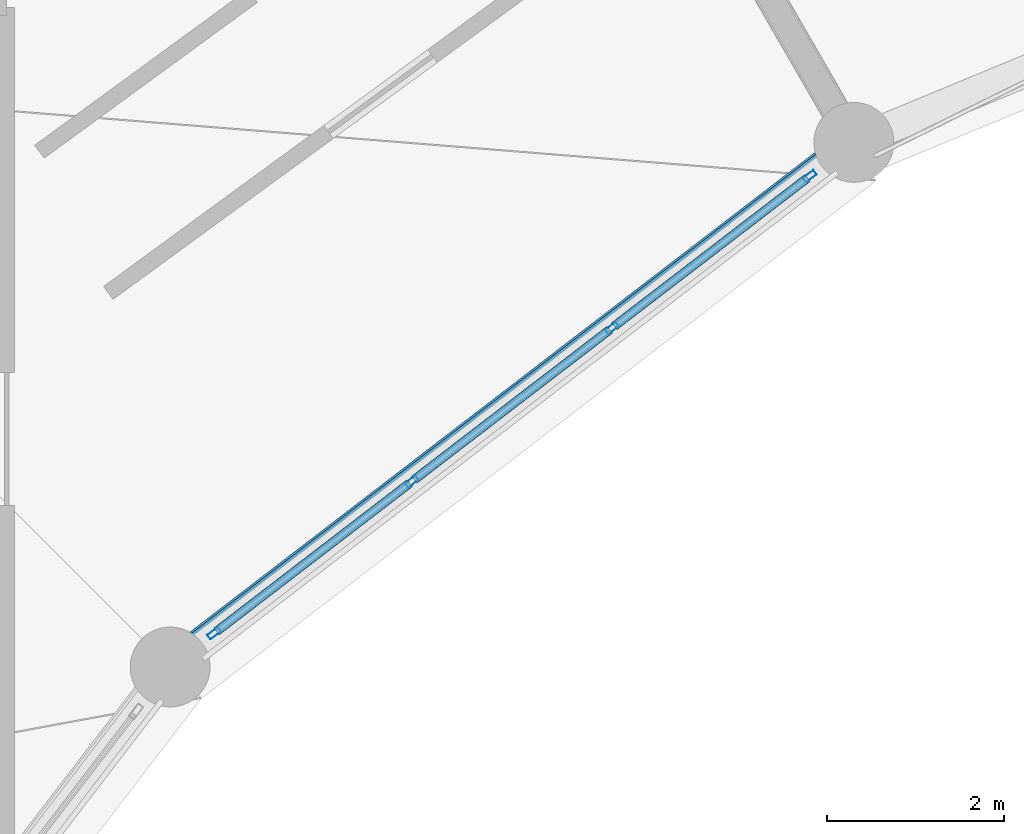
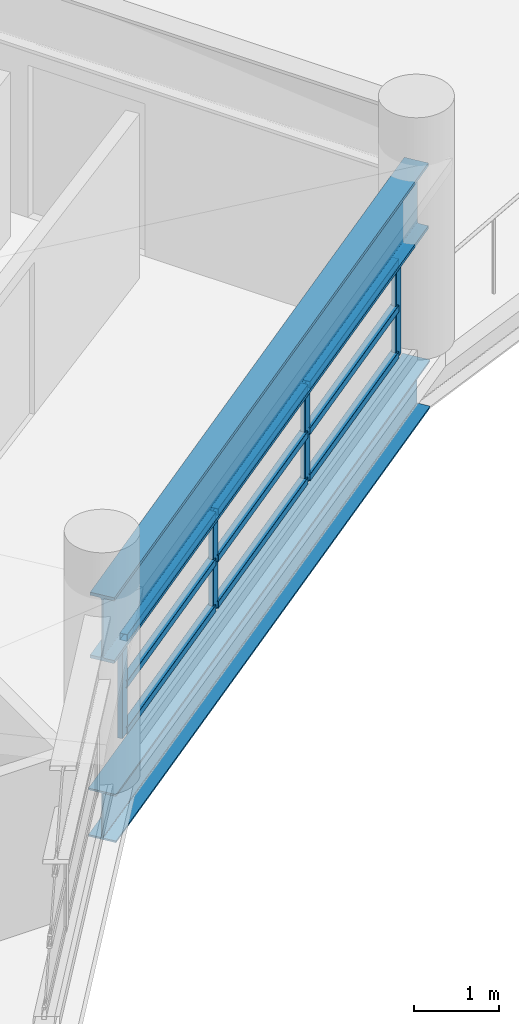
# One storey, part 5 of 12: 13 members, 2 beams, 1 element without a shape of its own.
"""IFC4 building model written with IfcOpenShell, lengths in metres."""

from ifc_helpers import new_model, si_unit, direction, frame, origin, origin_2d, place, context, subcontext, project, spatial, hollow_rectangle, i_section, extrude, material, layer, layer_set, material_profile, profile_set, type_object, element, aggregate, save


model = new_model("IFC4")

# Units and contexts
model_context = context("Model", 3, precision=1e-05, world=origin(), true_north=direction((0.0, 1.0)))
body_context = subcontext(model_context, "Body", "Model", "MODEL_VIEW")
ifc_project = project(units=[si_unit("LENGTHUNIT", "METRE"), si_unit("AREAUNIT", "SQUARE_METRE"), si_unit("VOLUMEUNIT", "CUBIC_METRE"), si_unit("PLANEANGLEUNIT", "RADIAN"), si_unit("MASSUNIT", "GRAM", prefix="KILO")], contexts=[model_context])

# Site, building, storey
site_placement = place(None, origin())
site = spatial("IfcSite", under=ifc_project, at=site_placement, CompositionType="ELEMENT")
building_placement = place(site_placement, origin())
building = spatial("IfcBuilding", under=site, at=building_placement, Name="Vespera Passage Community Centre", CompositionType="ELEMENT")
storey_placement = place(building_placement, frame((0.0, 0.0, 24.300048828125)))
storey = spatial("IfcBuildingStorey", under=building, at=storey_placement, Name="ROOF", CompositionType="ELEMENT", Elevation=24.300048828125)

# Beam
ifc_material_1 = material(Name="Steel ASTM A992 Grade 50", Category="steel")
ifc_material_profile_1 = material_profile(ifc_material_1, i_section(OverallWidth=0.3544921875, OverallDepth=0.695556640625, WebThickness=0.015380859375, FlangeThickness=0.024658203125, FilletRadius=0.01513671875, at=origin_2d()), Name="W27X146")
ifc_profile_set_1 = profile_set([ifc_material_profile_1], Name="Steel ASTM A992 Grade 50")
beam_type_1 = type_object("IfcBeamType", Name="BM-SP-W27X146E", PredefinedType="SPANDREL", material=ifc_profile_set_1)
beam_1_placement = place(storey_placement, frame((59.39990234375, 97.716064453125, -0.60791015625), z_axis=(-0.793359869694, -0.60875291963, 0.0), x_axis=(0.60875291963, -0.793359869694, 0.0)))
element("IfcBeam", 1, at=beam_1_placement, inside=storey, type_object=beam_type_1, Name="V4 ROOF Inner Spandrel 8", PredefinedType="SPANDREL", context=body_context, shape_type="SweptSolid", body=[
    extrude(i_section(OverallWidth=0.3544921875, OverallDepth=0.695556640625, WebThickness=0.015380859375, FlangeThickness=0.024658203125, FilletRadius=0.01513671875, at=origin_2d()), origin(), (0.0, 0.0, 1.0), 9.7109375),
])

# Curtain wall, members
ifc_material_2 = material(Name="Anodized aluminium 6063-T6", Category="aluminium")
ifc_layer = layer(ifc_material_2, 0.159912109375)
ifc_layer_set = layer_set([ifc_layer], Name="Anodized aluminium 6063-T6")
curtain_wall_type = type_object("IfcCurtainWallType", Name="CW-80E", PredefinedType="NOTDEFINED", material=ifc_layer_set)
curtain_wall_placement = place(storey_placement, origin())
curtain_wall = element("IfcCurtainWall", 2, at=curtain_wall_placement, inside=storey, type_object=curtain_wall_type, Name="V4 ROOF Inner Court Curtain Wall 8", PredefinedType="NOTDEFINED")
ifc_material_3 = material(Name="Anodized aluminium 6063-T6", Category="aluminium")
ifc_material_profile_2 = material_profile(ifc_material_3, hollow_rectangle(XDim=0.06494140625, YDim=0.14990234375, WallThickness=0.00390625, InnerFilletRadius=0.001953125, OuterFilletRadius=0.00390625, at=origin_2d()), Name="ALU150X65X4")
ifc_profile_set_2 = profile_set([ifc_material_profile_2], Name="Anodized aluminium 6063-T6")
member_type_1 = type_object("IfcMemberType", Name="MB-CWM-150E", PredefinedType="MULLION", material=ifc_profile_set_2)
member_1_placement = place(storey_placement, frame((58.903564453125, 97.335205078125, 0.14990234375), z_axis=(0.0, 0.0, 1.0), x_axis=(0.608755087843, -0.793358205999, 0.0)))
member_1 = element("IfcMember", 3, at=member_1_placement, type_object=member_type_1, Name="CW-80E mullion 1", PredefinedType="MULLION", context=body_context, shape_type="SweptSolid", body=[
    extrude(hollow_rectangle(XDim=0.06494140625, YDim=0.14990234375, WallThickness=0.00390625, InnerFilletRadius=0.001953125, OuterFilletRadius=0.00390625, at=origin_2d()), origin(), (0.0, 0.0, 1.0), 1.439697265625),
])
member_2_placement = place(storey_placement, frame((56.675048828125, 95.625244140625, 0.14990234375), z_axis=(0.0, 0.0, 1.0), x_axis=(0.608755087843, -0.793358205999, 0.0)))
member_2 = element("IfcMember", 4, at=member_2_placement, type_object=member_type_1, Name="CW-80E mullion 2", PredefinedType="MULLION", context=body_context, shape_type="SweptSolid", body=[
    extrude(hollow_rectangle(XDim=0.06494140625, YDim=0.14990234375, WallThickness=0.00390625, InnerFilletRadius=0.001953125, OuterFilletRadius=0.00390625, at=origin_2d()), origin(), (0.0, 0.0, 1.0), 1.439697265625),
])
member_3_placement = place(storey_placement, frame((54.420654296875, 93.895263671875, 0.14990234375), z_axis=(0.0, 0.0, 1.0), x_axis=(0.608755087843, -0.793358205999, 0.0)))
member_3 = element("IfcMember", 5, at=member_3_placement, type_object=member_type_1, Name="CW-80E mullion 3", PredefinedType="MULLION", context=body_context, shape_type="SweptSolid", body=[
    extrude(hollow_rectangle(XDim=0.06494140625, YDim=0.14990234375, WallThickness=0.00390625, InnerFilletRadius=0.001953125, OuterFilletRadius=0.00390625, at=origin_2d()), origin(), (0.0, 0.0, 1.0), 1.439697265625),
])
member_4_placement = place(storey_placement, frame((52.19189453125, 92.185302734375, 0.14990234375), z_axis=(0.0, 0.0, 1.0), x_axis=(0.608755087843, -0.793358205999, 0.0)))
member_4 = element("IfcMember", 6, at=member_4_placement, type_object=member_type_1, Name="CW-80E mullion 4", PredefinedType="MULLION", context=body_context, shape_type="SweptSolid", body=[
    extrude(hollow_rectangle(XDim=0.06494140625, YDim=0.14990234375, WallThickness=0.00390625, InnerFilletRadius=0.001953125, OuterFilletRadius=0.00390625, at=origin_2d()), origin(), (0.0, 0.0, 1.0), 1.439697265625),
])
ifc_material_4 = material(Name="Anodized aluminium 6063-T6", Category="aluminium")
ifc_material_profile_3 = material_profile(ifc_material_4, hollow_rectangle(XDim=0.10009765625, YDim=0.10009765625, WallThickness=0.00390625, InnerFilletRadius=0.001953125, OuterFilletRadius=0.00390625, at=origin_2d()), Name="ALU100X100X4")
ifc_profile_set_3 = profile_set([ifc_material_profile_3], Name="Anodized aluminium 6063-T6")
member_type_2 = type_object("IfcMemberType", Name="MB-CWT-100E", PredefinedType="USERDEFINED", material=ifc_profile_set_3)
member_5_placement = place(storey_placement, frame((58.8779296875, 97.3154296875, 0.199951171875), z_axis=(-0.793397254086, -0.608704195162, 0.0), x_axis=(0.608704195162, -0.793397254086, 0.0)))
member_5 = element("IfcMember", 7, at=member_5_placement, type_object=member_type_2, Name="CW-80E transom 1.1", ObjectType="TRANSOM", PredefinedType="USERDEFINED", context=body_context, shape_type="SweptSolid", body=[
    extrude(hollow_rectangle(XDim=0.10009765625, YDim=0.10009765625, WallThickness=0.00390625, InnerFilletRadius=0.001953125, OuterFilletRadius=0.00390625, at=origin_2d()), origin(), (0.0, 0.0, 1.0), 2.744140625),
])
member_6_placement = place(storey_placement, frame((58.8779296875, 97.3154296875, 0.869873046875), z_axis=(-0.793397254086, -0.608704195162, 0.0), x_axis=(0.608704195162, -0.793397254086, 0.0)))
member_6 = element("IfcMember", 8, at=member_6_placement, type_object=member_type_2, Name="CW-80E transom 1.2", ObjectType="TRANSOM", PredefinedType="USERDEFINED", context=body_context, shape_type="SweptSolid", body=[
    extrude(hollow_rectangle(XDim=0.10009765625, YDim=0.10009765625, WallThickness=0.00390625, InnerFilletRadius=0.001953125, OuterFilletRadius=0.00390625, at=origin_2d()), origin(), (0.0, 0.0, 1.0), 2.744140625),
])
member_7_placement = place(storey_placement, frame((58.8779296875, 97.3154296875, 1.53955078125), z_axis=(-0.793397254086, -0.608704195162, 0.0), x_axis=(0.608704195162, -0.793397254086, 0.0)))
member_7 = element("IfcMember", 9, at=member_7_placement, type_object=member_type_2, Name="CW-80E transom 1.3", ObjectType="TRANSOM", PredefinedType="USERDEFINED", context=body_context, shape_type="SweptSolid", body=[
    extrude(hollow_rectangle(XDim=0.10009765625, YDim=0.10009765625, WallThickness=0.00390625, InnerFilletRadius=0.001953125, OuterFilletRadius=0.00390625, at=origin_2d()), origin(), (0.0, 0.0, 1.0), 2.744140625),
])
member_8_placement = place(storey_placement, frame((56.649169921875, 95.60546875, 0.199951171875), z_axis=(-0.793335989748, -0.60878404001, 0.0), x_axis=(0.60878404001, -0.793335989748, 0.0)))
member_8 = element("IfcMember", 10, at=member_8_placement, type_object=member_type_2, Name="CW-80E transom 2.1", ObjectType="TRANSOM", PredefinedType="USERDEFINED", context=body_context, shape_type="SweptSolid", body=[
    extrude(hollow_rectangle(XDim=0.10009765625, YDim=0.10009765625, WallThickness=0.00390625, InnerFilletRadius=0.001953125, OuterFilletRadius=0.00390625, at=origin_2d()), origin(), (0.0, 0.0, 1.0), 2.776611328125),
])
member_9_placement = place(storey_placement, frame((56.649169921875, 95.60546875, 0.869873046875), z_axis=(-0.793335989748, -0.60878404001, 0.0), x_axis=(0.60878404001, -0.793335989748, 0.0)))
member_9 = element("IfcMember", 11, at=member_9_placement, type_object=member_type_2, Name="CW-80E transom 2.2", ObjectType="TRANSOM", PredefinedType="USERDEFINED", context=body_context, shape_type="SweptSolid", body=[
    extrude(hollow_rectangle(XDim=0.10009765625, YDim=0.10009765625, WallThickness=0.00390625, InnerFilletRadius=0.001953125, OuterFilletRadius=0.00390625, at=origin_2d()), origin(), (0.0, 0.0, 1.0), 2.776611328125),
])
member_10_placement = place(storey_placement, frame((56.649169921875, 95.60546875, 1.53955078125), z_axis=(-0.793335989748, -0.60878404001, 0.0), x_axis=(0.60878404001, -0.793335989748, 0.0)))
member_10 = element("IfcMember", 12, at=member_10_placement, type_object=member_type_2, Name="CW-80E transom 2.3", ObjectType="TRANSOM", PredefinedType="USERDEFINED", context=body_context, shape_type="SweptSolid", body=[
    extrude(hollow_rectangle(XDim=0.10009765625, YDim=0.10009765625, WallThickness=0.00390625, InnerFilletRadius=0.001953125, OuterFilletRadius=0.00390625, at=origin_2d()), origin(), (0.0, 0.0, 1.0), 2.776611328125),
])
member_11_placement = place(storey_placement, frame((54.394775390625, 93.87548828125, 0.199951171875), z_axis=(-0.793364286906, -0.608747162837, 0.0), x_axis=(0.608747162837, -0.793364286906, 0.0)))
member_11 = element("IfcMember", 13, at=member_11_placement, type_object=member_type_2, Name="CW-80E transom 3.1", ObjectType="TRANSOM", PredefinedType="USERDEFINED", context=body_context, shape_type="SweptSolid", body=[
    extrude(hollow_rectangle(XDim=0.10009765625, YDim=0.10009765625, WallThickness=0.00390625, InnerFilletRadius=0.001953125, OuterFilletRadius=0.00390625, at=origin_2d()), origin(), (0.0, 0.0, 1.0), 2.743896484375),
])
member_12_placement = place(storey_placement, frame((54.394775390625, 93.87548828125, 0.869873046875), z_axis=(-0.793364286906, -0.608747162837, 0.0), x_axis=(0.608747162837, -0.793364286906, 0.0)))
member_12 = element("IfcMember", 14, at=member_12_placement, type_object=member_type_2, Name="CW-80E transom 3.2", ObjectType="TRANSOM", PredefinedType="USERDEFINED", context=body_context, shape_type="SweptSolid", body=[
    extrude(hollow_rectangle(XDim=0.10009765625, YDim=0.10009765625, WallThickness=0.00390625, InnerFilletRadius=0.001953125, OuterFilletRadius=0.00390625, at=origin_2d()), origin(), (0.0, 0.0, 1.0), 2.743896484375),
])
member_13_placement = place(storey_placement, frame((54.394775390625, 93.87548828125, 1.53955078125), z_axis=(-0.793364286906, -0.608747162837, 0.0), x_axis=(0.608747162837, -0.793364286906, 0.0)))
member_13 = element("IfcMember", 15, at=member_13_placement, type_object=member_type_2, Name="CW-80E transom 3.3", ObjectType="TRANSOM", PredefinedType="USERDEFINED", context=body_context, shape_type="SweptSolid", body=[
    extrude(hollow_rectangle(XDim=0.10009765625, YDim=0.10009765625, WallThickness=0.00390625, InnerFilletRadius=0.001953125, OuterFilletRadius=0.00390625, at=origin_2d()), origin(), (0.0, 0.0, 1.0), 2.743896484375),
])
aggregate(curtain_wall, [member_1, member_2, member_3, member_4, member_5, member_6, member_7, member_8, member_9, member_10, member_11, member_12, member_13])

# Beam
ifc_material_5 = material(Name="Steel ASTM A992 Grade 50", Category="steel")
ifc_material_profile_4 = material_profile(ifc_material_5, i_section(OverallWidth=0.310302734375, OverallDepth=0.950439453125, WebThickness=0.0244140625, FlangeThickness=0.0439453125, FilletRadius=0.024169921875, at=origin_2d()), Name="W36X256")
ifc_profile_set_4 = profile_set([ifc_material_profile_4], Name="Steel ASTM A992 Grade 50")
beam_type_2 = type_object("IfcBeamType", Name="TG-256", PredefinedType="USERDEFINED", material=ifc_profile_set_4)
beam_2_placement = place(storey_placement, frame((59.39990234375, 97.716064453125, 2.099853515625), z_axis=(-0.793359869694, -0.60875291963, 0.0), x_axis=(0.60875291963, -0.793359869694, 0.0)))
element("IfcBeam", 16, at=beam_2_placement, inside=storey, type_object=beam_type_2, Name="ROOF Belvedere Inner Ridge Beam 8", ObjectType="TRANSFER GIRDER", PredefinedType="USERDEFINED", context=body_context, shape_type="SweptSolid", body=[
    extrude(i_section(OverallWidth=0.310302734375, OverallDepth=0.950439453125, WebThickness=0.0244140625, FlangeThickness=0.0439453125, FilletRadius=0.024169921875, at=origin_2d()), origin(), (0.0, 0.0, 1.0), 9.7109375),
])

save(model, "model.ifc")
